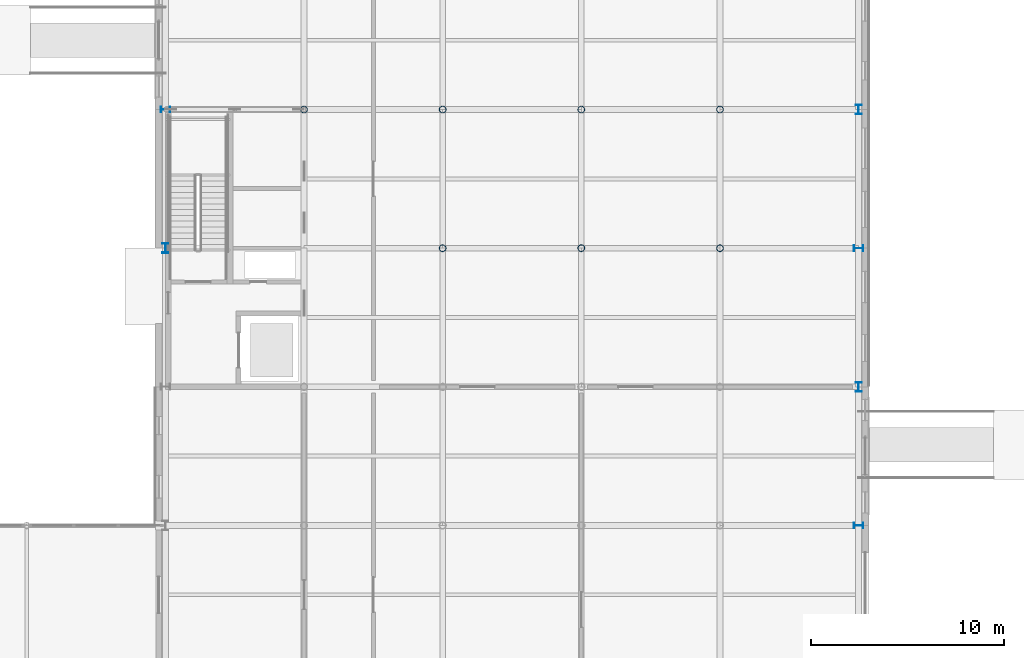
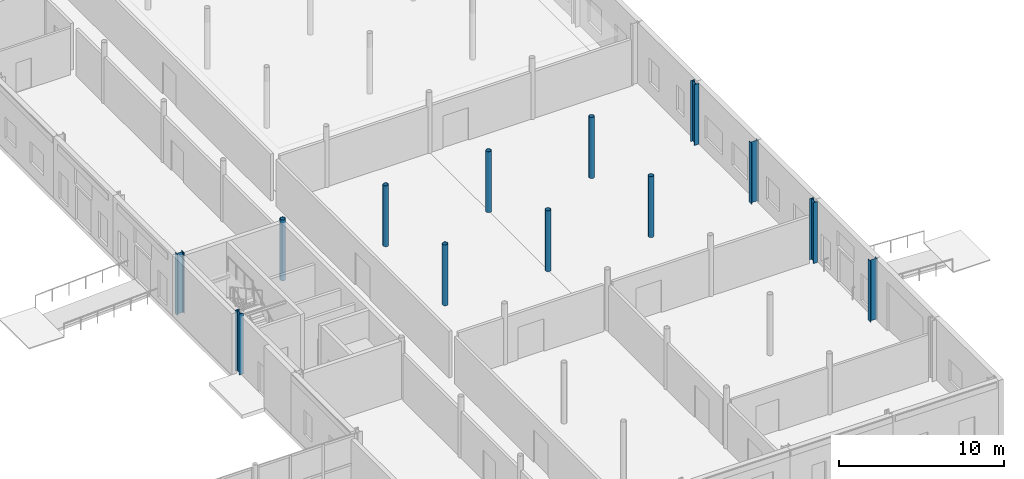
# One storey, part 17 of 92: 13 columns.
"""IFC4 building model written with IfcOpenShell, lengths in metres."""

from ifc_helpers import new_model, si_unit, direction, frame, origin, origin_2d, place, context, subcontext, project, spatial, hollow_circle, i_section, extrude, material, material_profile, profile_set, type_object, element, save


model = new_model("IFC4")

# Units and contexts
model_context = context("Model", 3, precision=1e-05, world=origin(), true_north=direction((0.0, 1.0)))
body_context = subcontext(model_context, "Body", "Model", "MODEL_VIEW")
ifc_project = project(units=[si_unit("LENGTHUNIT", "METRE"), si_unit("AREAUNIT", "SQUARE_METRE"), si_unit("VOLUMEUNIT", "CUBIC_METRE"), si_unit("PLANEANGLEUNIT", "RADIAN"), si_unit("MASSUNIT", "GRAM", prefix="KILO")], contexts=[model_context])

# Site, building, storey
site_placement = place(None, origin())
site = spatial("IfcSite", under=ifc_project, at=site_placement, CompositionType="ELEMENT")
building_placement = place(site_placement, origin())
building = spatial("IfcBuilding", under=site, at=building_placement, Name="Zlatovets Crest Museum", CompositionType="ELEMENT")
storey_placement = place(building_placement, origin())
storey = spatial("IfcBuildingStorey", under=building, at=storey_placement, Name="L00", CompositionType="ELEMENT", Elevation=0.0)

# Columns
ifc_material = material(Name="Structural steel S355J2", Category="steel")
ifc_material_profile_1 = material_profile(ifc_material, i_section(OverallWidth=0.300048828125, OverallDepth=0.5, WebThickness=0.014404296875, FlangeThickness=0.028076171875, FilletRadius=0.027099609375, at=origin_2d()), Name="HEB 500")
ifc_profile_set_1 = profile_set([ifc_material_profile_1], Name="Structural steel S355J2")
column_type_1 = type_object("IfcColumnType", Name="Col_C-05", PredefinedType="COLUMN", material=ifc_profile_set_1)
for number, where, z_axis, x_axis, name in (
    (1, (129.60009765625, 43.199951171875, 0.0), (0.0, 0.0, 1.0), (1.0, 0.0, 0.0), "V5 L00 Column (129.6, 43.2)"),
    (2, (129.60009765625, 50.39990234375, 0.0), (0.0, 0.0, 1.0), (0.0, 1.0, 0.0), "V5 L00 Column (129.6, 50.4)"),
    (3, (165.60009765625, 28.800048828125, 0.0), (0.0, 0.0, 1.0), (0.0, 1.0, 0.0), "V5 L00 Column (165.6, 28.8)"),
    (4, (165.60009765625, 36.0, 0.0), (0.0, 0.0, 1.0), (1.0, 0.0, 0.0), "V5 L00 Column (165.6, 36.0)"),
    (5, (165.60009765625, 43.199951171875, 0.0), (0.0, 0.0, 1.0), (0.0, 1.0, 0.0), "V5 L00 Column (165.6, 43.2)"),
    (6, (165.60009765625, 50.39990234375, 0.0), (0.0, 0.0, 1.0), (1.0, 0.0, 0.0), "V5 L00 Column (165.6, 50.4)"),
):
    element("IfcColumn", number, at=place(storey_placement, frame(where, z_axis=z_axis, x_axis=x_axis)), inside=storey, type_object=column_type_1, Name=name, PredefinedType="COLUMN", context=body_context, shape_type="SweptSolid", body=[
        extrude(i_section(OverallWidth=0.300048828125, OverallDepth=0.5, WebThickness=0.014404296875, FlangeThickness=0.028076171875, FilletRadius=0.027099609375, at=origin_2d()), origin(), (0.0, 0.0, 1.0), 4.5),
    ])
ifc_material_profile_2 = material_profile(ifc_material, hollow_circle(Radius=0.177734375, WallThickness=0.01416015625, at=origin_2d()), Name="CHS 355.6x14.2")
ifc_profile_set_2 = profile_set([ifc_material_profile_2], Name="Structural steel S355J2")
column_type_2 = type_object("IfcColumnType", Name="Col_C-20", PredefinedType="COLUMN", material=ifc_profile_set_2)
for number, where, z_axis, x_axis, name in (
    (7, (136.800048828125, 50.39990234375, 0.0), (0.0, 0.0, 1.0), (1.0, 0.0, 0.0), "V5 L00 Column (136.8, 50.4)"),
    (8, (144.0, 43.199951171875, 0.0), (0.0, 0.0, 1.0), (1.0, 0.0, 0.0), "V5 L00 Column (144.0, 43.2)"),
    (9, (144.0, 50.39990234375, 0.0), (0.0, 0.0, 1.0), (0.0, 1.0, 0.0), "V5 L00 Column (144.0, 50.4)"),
    (10, (151.199951171875, 43.199951171875, 0.0), (0.0, 0.0, 1.0), (0.0, 1.0, 0.0), "V5 L00 Column (151.2, 43.2)"),
    (11, (151.199951171875, 50.39990234375, 0.0), (0.0, 0.0, 1.0), (1.0, 0.0, 0.0), "V5 L00 Column (151.2, 50.4)"),
    (12, (158.39990234375, 43.199951171875, 0.0), (0.0, 0.0, 1.0), (1.0, 0.0, 0.0), "V5 L00 Column (158.4, 43.2)"),
    (13, (158.39990234375, 50.39990234375, 0.0), (0.0, 0.0, 1.0), (0.0, 1.0, 0.0), "V5 L00 Column (158.4, 50.4)"),
):
    element("IfcColumn", number, at=place(storey_placement, frame(where, z_axis=z_axis, x_axis=x_axis)), inside=storey, type_object=column_type_2, Name=name, PredefinedType="COLUMN", context=body_context, shape_type="SweptSolid", body=[
        extrude(hollow_circle(Radius=0.177734375, WallThickness=0.01416015625, at=origin_2d()), origin(), (0.0, 0.0, 1.0), 4.5),
    ])

save(model, "model.ifc")
